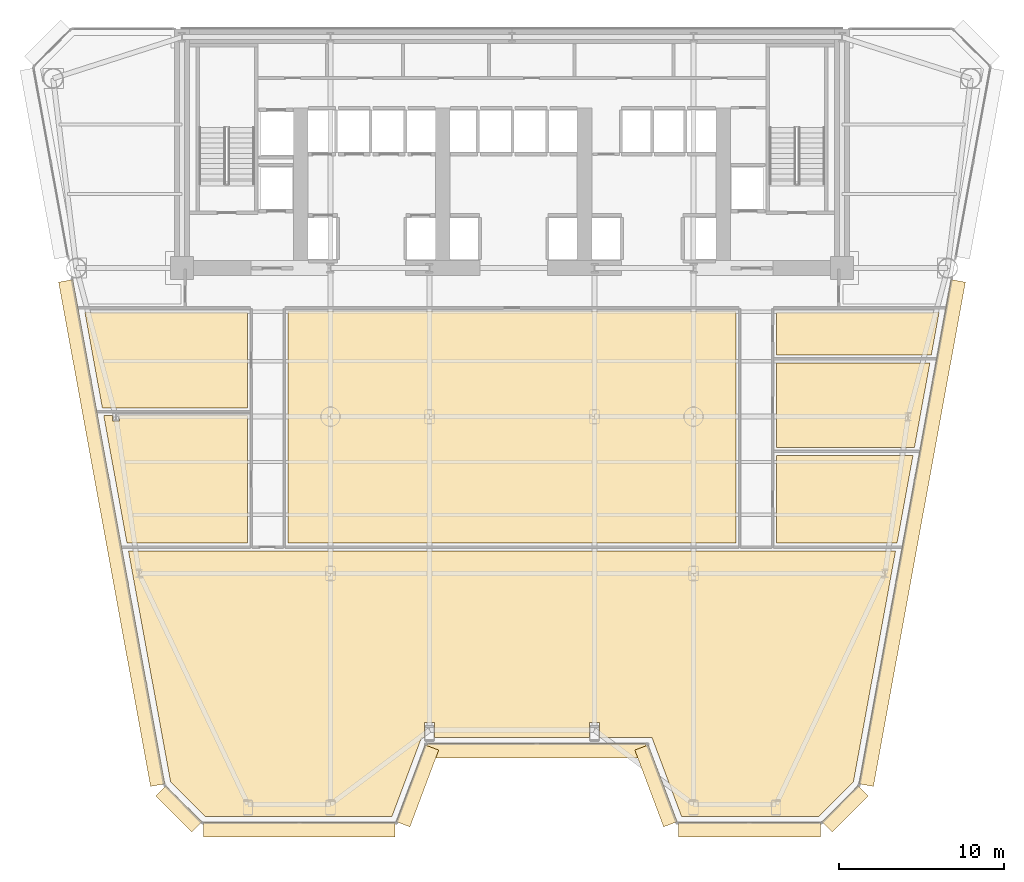
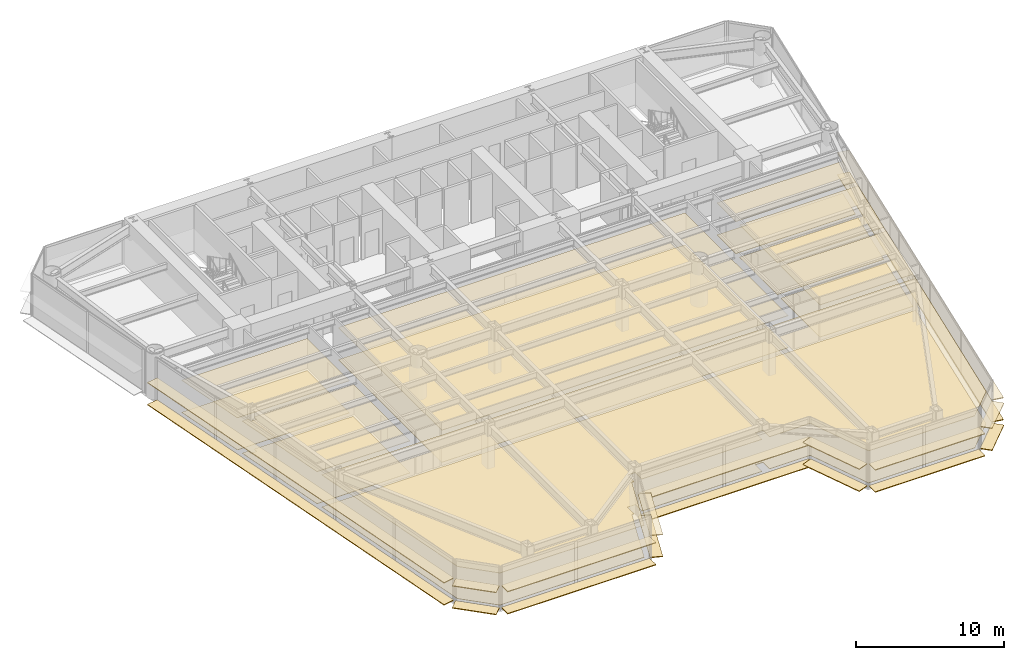
# One storey, part 11 of 14: 32 coverings.
"""IFC4 building model written with IfcOpenShell, lengths in metres."""

from ifc_helpers import new_model, si_unit, direction, frame, origin, origin_2d, place, context, subcontext, project, spatial, polyline, rectangle, outline, extrude, source, transform, mapped, material, layer, layer_set, type_object, element, save


model = new_model("IFC4")

# Units and contexts
model_context = context("Model", 3, precision=1e-05, world=origin(), true_north=direction((0.0, 1.0)))
body_context = subcontext(model_context, "Body", "Model", "MODEL_VIEW")
ifc_project = project(units=[si_unit("LENGTHUNIT", "METRE"), si_unit("AREAUNIT", "SQUARE_METRE"), si_unit("VOLUMEUNIT", "CUBIC_METRE"), si_unit("PLANEANGLEUNIT", "RADIAN"), si_unit("MASSUNIT", "GRAM", prefix="KILO")], contexts=[model_context])

# Site, building, storey
site_placement = place(None, origin())
site = spatial("IfcSite", under=ifc_project, at=site_placement, CompositionType="ELEMENT")
building_placement = place(site_placement, origin())
building = spatial("IfcBuilding", under=site, at=building_placement, Name="Vaeldorn Concourse Tower", CompositionType="ELEMENT")
storey_placement = place(building_placement, frame((0.0, 0.0, 64.39990234375)))
storey = spatial("IfcBuildingStorey", under=building, at=storey_placement, Name="L16", CompositionType="ELEMENT", Elevation=64.39990234375)

# Coverings
ifc_material_1 = material(Name="Acoustic Mineral Fibre Board", Category="gypsum")
ifc_layer_1 = layer(ifc_material_1, 0.0400390625)
ifc_layer_set_1 = layer_set([ifc_layer_1], Name="Acoustic Mineral Fibre Board")
covering_type_1 = type_object("IfcCoveringType", Name="COV-CEIL-ACOUSTIC", PredefinedType="CEILING", material=ifc_layer_set_1)
covering_1_placement = place(storey_placement, frame((0.0, 0.0, 2.650146484375)))
element("IfcCovering", 1, at=covering_1_placement, inside=storey, type_object=covering_type_1, Name="Suspended Acoustic Ceiling L16-6", PredefinedType="CEILING", context=body_context, shape_type="SweptSolid", body=[
    extrude(outline(polyline([(9.779052734375, 27.56005859375), (9.779052734375, 27.234619140625), (10.220947265625, 27.234619140625), (10.220947265625, 27.56005859375), (17.9599609375, 27.56005859375), (17.9599609375, 19.840087890625), (10.671630859375, 19.840087890625), (9.26318359375, 27.56005859375), (9.779052734375, 27.56005859375)])), origin(), (0.0, 0.0, 1.0), 0.0400390625),
])
covering_2_placement = place(storey_placement, frame((0.0, 0.0, 2.650146484375)))
element("IfcCovering", 2, at=covering_2_placement, inside=storey, type_object=covering_type_1, Name="Suspended Acoustic Ceiling L16-7", PredefinedType="CEILING", context=body_context, shape_type="SweptSolid", body=[
    extrude(outline(polyline([(17.9599609375, 33.800048828125), (17.9599609375, 28.0400390625), (9.17578125, 28.0400390625), (8.125, 33.800048828125), (17.9599609375, 33.800048828125)])), origin(), (0.0, 0.0, 1.0), 0.0400390625),
])
covering_3_placement = place(storey_placement, frame((0.0, 0.0, 2.650146484375)))
element("IfcCovering", 3, at=covering_3_placement, inside=storey, type_object=covering_type_1, Name="Suspended Acoustic Ceiling L16-8", PredefinedType="CEILING", context=body_context, shape_type="SweptSolid", body=[
    extrude(outline(polyline([(50.0400390625, 19.840087890625), (50.0400390625, 25.159912109375), (58.298828125, 25.159912109375), (57.328369140625, 19.840087890625), (50.0400390625, 19.840087890625)])), origin(), (0.0, 0.0, 1.0), 0.0400390625),
])
covering_4_placement = place(storey_placement, frame((0.0, 0.0, 2.650146484375)))
element("IfcCovering", 4, at=covering_4_placement, inside=storey, type_object=covering_type_1, Name="Suspended Acoustic Ceiling L16-9", PredefinedType="CEILING", context=body_context, shape_type="SweptSolid", body=[
    extrude(outline(polyline([(50.0400390625, 25.639892578125), (50.0400390625, 30.760009765625), (59.320556640625, 30.760009765625), (58.386474609375, 25.639892578125), (50.0400390625, 25.639892578125)])), origin(), (0.0, 0.0, 1.0), 0.0400390625),
])
covering_5_placement = place(storey_placement, frame((0.0, 0.0, 2.650146484375)))
element("IfcCovering", 5, at=covering_5_placement, inside=storey, type_object=covering_type_1, Name="Suspended Acoustic Ceiling L16-10", PredefinedType="CEILING", context=body_context, shape_type="SweptSolid", body=[
    extrude(outline(polyline([(50.0400390625, 31.239990234375), (50.0400390625, 33.800048828125), (59.875, 33.800048828125), (59.408203125, 31.239990234375), (50.0400390625, 31.239990234375)])), origin(), (0.0, 0.0, 1.0), 0.0400390625),
])
covering_6_placement = place(storey_placement, frame((0.0, 0.0, 2.650146484375)))
element("IfcCovering", 6, at=covering_6_placement, inside=storey, type_object=covering_type_1, Name="Suspended Acoustic Ceiling L16-11", PredefinedType="CEILING", context=body_context, shape_type="SweptSolid", body=[
    extrude(outline(polyline([(20.43994140625, 33.860107421875), (47.56005859375, 33.860107421875), (47.56005859375, 19.840087890625), (20.43994140625, 19.840087890625), (20.43994140625, 33.860107421875)])), origin(), (0.0, 0.0, 1.0), 0.0400390625),
])
covering_7_placement = place(storey_placement, frame((0.0, 0.0, 2.650146484375)))
element("IfcCovering", 7, at=covering_7_placement, inside=storey, type_object=covering_type_1, Name="Suspended Acoustic Ceiling L16-12", PredefinedType="CEILING", context=body_context, shape_type="SweptSolid", body=[
    extrude(outline(polyline([(57.24072265625, 19.360107421875), (54.687255859375, 5.363525390625), (52.5927734375, 3.268798828125), (44.277099609375, 3.268798828125), (42.477294921875, 8.06884765625), (39.300048828125, 8.06884765625), (39.300048828125, 8.9580078125), (38.699951171875, 8.9580078125), (38.699951171875, 8.06884765625), (29.300048828125, 8.06884765625), (29.300048828125, 8.9580078125), (28.699951171875, 8.9580078125), (28.699951171875, 8.06884765625), (28.522705078125, 8.06884765625), (26.722900390625, 3.268798828125), (15.4072265625, 3.268798828125), (13.312744140625, 5.363525390625), (10.75927734375, 19.360107421875), (57.24072265625, 19.360107421875)])), origin(), (0.0, 0.0, 1.0), 0.0400390625),
])
ifc_material_2 = material(Name="Honed Limestone Terrazzo Flooring", Category="masonry")
ifc_layer_2 = layer(ifc_material_2, 0.0400390625)
ifc_layer_set_2 = layer_set([ifc_layer_2], Name="Honed Limestone Terrazzo Flooring")
covering_type_2 = type_object("IfcCoveringType", Name="COV-FLOOR-STONE", PredefinedType="FLOORING", material=ifc_layer_set_2)
covering_8_placement = place(storey_placement, origin())
element("IfcCovering", 8, at=covering_8_placement, inside=storey, type_object=covering_type_2, Name="Floor Finish Covering L16-6", PredefinedType="FLOORING", context=body_context, shape_type="SweptSolid", body=[
    extrude(outline(polyline([(9.779052734375, 27.56005859375), (9.779052734375, 27.234619140625), (10.220947265625, 27.234619140625), (10.220947265625, 27.56005859375), (17.9599609375, 27.56005859375), (17.9599609375, 19.840087890625), (10.671630859375, 19.840087890625), (9.26318359375, 27.56005859375), (9.779052734375, 27.56005859375)])), origin(), (0.0, 0.0, 1.0), 0.030029296875),
])
covering_9_placement = place(storey_placement, origin())
element("IfcCovering", 9, at=covering_9_placement, inside=storey, type_object=covering_type_2, Name="Floor Finish Covering L16-7", PredefinedType="FLOORING", context=body_context, shape_type="SweptSolid", body=[
    extrude(outline(polyline([(17.9599609375, 33.800048828125), (17.9599609375, 28.0400390625), (9.17578125, 28.0400390625), (8.125, 33.800048828125), (17.9599609375, 33.800048828125)])), origin(), (0.0, 0.0, 1.0), 0.030029296875),
])
covering_10_placement = place(storey_placement, origin())
element("IfcCovering", 10, at=covering_10_placement, inside=storey, type_object=covering_type_2, Name="Floor Finish Covering L16-8", PredefinedType="FLOORING", context=body_context, shape_type="SweptSolid", body=[
    extrude(outline(polyline([(50.0400390625, 19.840087890625), (50.0400390625, 25.159912109375), (58.298828125, 25.159912109375), (57.328369140625, 19.840087890625), (50.0400390625, 19.840087890625)])), origin(), (0.0, 0.0, 1.0), 0.030029296875),
])
covering_11_placement = place(storey_placement, origin())
element("IfcCovering", 11, at=covering_11_placement, inside=storey, type_object=covering_type_2, Name="Floor Finish Covering L16-9", PredefinedType="FLOORING", context=body_context, shape_type="SweptSolid", body=[
    extrude(outline(polyline([(50.0400390625, 25.639892578125), (50.0400390625, 30.760009765625), (59.320556640625, 30.760009765625), (58.386474609375, 25.639892578125), (50.0400390625, 25.639892578125)])), origin(), (0.0, 0.0, 1.0), 0.030029296875),
])
covering_12_placement = place(storey_placement, origin())
element("IfcCovering", 12, at=covering_12_placement, inside=storey, type_object=covering_type_2, Name="Floor Finish Covering L16-10", PredefinedType="FLOORING", context=body_context, shape_type="SweptSolid", body=[
    extrude(outline(polyline([(50.0400390625, 31.239990234375), (50.0400390625, 33.800048828125), (59.875, 33.800048828125), (59.408203125, 31.239990234375), (50.0400390625, 31.239990234375)])), origin(), (0.0, 0.0, 1.0), 0.030029296875),
])
covering_13_placement = place(storey_placement, origin())
element("IfcCovering", 13, at=covering_13_placement, inside=storey, type_object=covering_type_2, Name="Floor Finish Covering L16-11", PredefinedType="FLOORING", context=body_context, shape_type="SweptSolid", body=[
    extrude(outline(polyline([(20.43994140625, 33.860107421875), (47.56005859375, 33.860107421875), (47.56005859375, 19.840087890625), (20.43994140625, 19.840087890625), (20.43994140625, 33.860107421875)])), origin(), (0.0, 0.0, 1.0), 0.030029296875),
])
covering_14_placement = place(storey_placement, origin())
element("IfcCovering", 14, at=covering_14_placement, inside=storey, type_object=covering_type_2, Name="Floor Finish Covering L16-12", PredefinedType="FLOORING", context=body_context, shape_type="SweptSolid", body=[
    extrude(outline(polyline([(57.24072265625, 19.360107421875), (54.687255859375, 5.363525390625), (52.5927734375, 3.268798828125), (44.277099609375, 3.268798828125), (42.477294921875, 8.06884765625), (39.300048828125, 8.06884765625), (39.300048828125, 8.9580078125), (38.699951171875, 8.9580078125), (38.699951171875, 8.06884765625), (29.300048828125, 8.06884765625), (29.300048828125, 8.9580078125), (28.699951171875, 8.9580078125), (28.699951171875, 8.06884765625), (28.522705078125, 8.06884765625), (26.722900390625, 3.268798828125), (15.4072265625, 3.268798828125), (13.312744140625, 5.363525390625), (10.75927734375, 19.360107421875), (57.24072265625, 19.360107421875)])), origin(), (0.0, 0.0, 1.0), 0.030029296875),
])
ifc_material_3 = material(Name="Anodised Bronze Aluminium", Category="aluminium")
ifc_layer_3 = layer(ifc_material_3, 0.06494140625)
ifc_layer_set_3 = layer_set([ifc_layer_3], Name="Anodised Bronze Aluminium")
covering_type_3 = type_object("IfcCoveringType", Name="SD-BRONZE-SUNSHADE", PredefinedType="USERDEFINED", material=ifc_layer_set_3)
shared_shape_1 = source(origin(), body_context, "Body", "SweptSolid", [
    extrude(rectangle(XDim=4.96630859375, YDim=0.8798828125, at=origin_2d()), origin(), (0.0, 0.0, 1.0), 0.06494140625),
])
for number, where, z_axis, x_axis, name in (
    (15, (28.2744140625, 5.12841796875, 0.047607421875), (0.0, 0.0, 1.0), (0.351122702609, 0.936329454686, 0.0), "Horizontal Bronze Sunshade L16-E02.1.1"),
    (16, (28.2744140625, 5.12841796875, 1.86767578125), (0.0, 0.0, 1.0), (0.351122702609, 0.936329454686, 0.0), "Horizontal Bronze Sunshade L16-E02.1.2"),
    (17, (42.7255859375, 5.12841796875, 0.047607421875), (0.0, 0.0, 1.0), (0.351122702609, -0.936329454686, 0.0), "Horizontal Bronze Sunshade L16-E04.1.1"),
    (18, (42.7255859375, 5.12841796875, 1.86767578125), (0.0, 0.0, 1.0), (0.351122702609, -0.936329454686, 0.0), "Horizontal Bronze Sunshade L16-E04.1.2"),
):
    element("IfcCovering", number, at=place(storey_placement, frame(where, z_axis=z_axis, x_axis=x_axis)), inside=storey, type_object=covering_type_3, Name=name, ObjectType="SUNSHADE", PredefinedType="USERDEFINED", context=body_context, shape_type="MappedRepresentation", body=[
        mapped(shared_shape_1, transform((0.0, 0.0, 0.0), scale=1.0)),
    ])
shared_shape_2 = source(origin(), body_context, "Body", "SweptSolid", [
    extrude(rectangle(XDim=13.239990234375, YDim=0.8798828125, at=origin_2d()), origin(), (0.0, 0.0, 1.0), 0.06494140625),
])
for number, where, z_axis, x_axis, name in (
    (19, (35.5, 7.268798828125, 0.047607421875), (0.0, 0.0, 1.0), (1.0, 0.0, 0.0), "Horizontal Bronze Sunshade L16-E03.1.1"),
    (20, (35.5, 7.268798828125, 1.86767578125), (0.0, 0.0, 1.0), (1.0, 0.0, 0.0), "Horizontal Bronze Sunshade L16-E03.1.2"),
):
    element("IfcCovering", number, at=place(storey_placement, frame(where, z_axis=z_axis, x_axis=x_axis)), inside=storey, type_object=covering_type_3, Name=name, ObjectType="SUNSHADE", PredefinedType="USERDEFINED", context=body_context, shape_type="MappedRepresentation", body=[
        mapped(shared_shape_2, transform((0.0, 0.0, 0.0), scale=1.0)),
    ])
shared_shape_3 = source(origin(), body_context, "Body", "SweptSolid", [
    extrude(rectangle(XDim=3.0927734375, YDim=0.8798828125, at=origin_2d()), origin(), (0.0, 0.0, 1.0), 0.06494140625),
])
for number, where, z_axis, x_axis, name in (
    (21, (54.191162109375, 3.736083984375, 0.047607421875), (0.0, 0.0, 1.0), (0.707106781187, 0.707106781187, 0.0), "Horizontal Bronze Sunshade L16-E06.1.1"),
    (22, (54.191162109375, 3.736083984375, 1.86767578125), (0.0, 0.0, 1.0), (0.707106781187, 0.707106781187, 0.0), "Horizontal Bronze Sunshade L16-E06.1.2"),
    (23, (13.808837890625, 3.736083984375, 0.047607421875), (0.0, 0.0, 1.0), (0.707106781187, -0.707106781187, 0.0), "Horizontal Bronze Sunshade L16-E12.1.1"),
    (24, (13.808837890625, 3.736083984375, 1.86767578125), (0.0, 0.0, 1.0), (0.707106781187, -0.707106781187, 0.0), "Horizontal Bronze Sunshade L16-E12.1.2"),
):
    element("IfcCovering", number, at=place(storey_placement, frame(where, z_axis=z_axis, x_axis=x_axis)), inside=storey, type_object=covering_type_3, Name=name, ObjectType="SUNSHADE", PredefinedType="USERDEFINED", context=body_context, shape_type="MappedRepresentation", body=[
        mapped(shared_shape_3, transform((0.0, 0.0, 0.0), scale=1.0)),
    ])
shared_shape_4 = source(origin(), body_context, "Body", "SweptSolid", [
    extrude(rectangle(XDim=11.598388671875, YDim=0.8798828125, at=origin_2d()), origin(), (0.0, 0.0, 1.0), 0.06494140625),
])
for number, where, z_axis, x_axis, name in (
    (25, (21.120849609375, 2.468994140625, 0.047607421875), (0.0, 0.0, 1.0), (1.0, 0.0, 0.0), "Horizontal Bronze Sunshade L16-E01.1.1"),
    (26, (21.120849609375, 2.468994140625, 1.86767578125), (0.0, 0.0, 1.0), (1.0, 0.0, 0.0), "Horizontal Bronze Sunshade L16-E01.1.2"),
):
    element("IfcCovering", number, at=place(storey_placement, frame(where, z_axis=z_axis, x_axis=x_axis)), inside=storey, type_object=covering_type_3, Name=name, ObjectType="SUNSHADE", PredefinedType="USERDEFINED", context=body_context, shape_type="MappedRepresentation", body=[
        mapped(shared_shape_4, transform((0.0, 0.0, 0.0), scale=1.0)),
    ])
shared_shape_5 = source(origin(), body_context, "Body", "SweptSolid", [
    extrude(rectangle(XDim=8.598388671875, YDim=0.8798828125, at=origin_2d()), origin(), (0.0, 0.0, 1.0), 0.06494140625),
])
for number, where, z_axis, x_axis, name in (
    (27, (48.379150390625, 2.468994140625, 0.047607421875), (0.0, 0.0, 1.0), (1.0, 0.0, 0.0), "Horizontal Bronze Sunshade L16-E05.1.1"),
    (28, (48.379150390625, 2.468994140625, 1.86767578125), (0.0, 0.0, 1.0), (1.0, 0.0, 0.0), "Horizontal Bronze Sunshade L16-E05.1.2"),
):
    element("IfcCovering", number, at=place(storey_placement, frame(where, z_axis=z_axis, x_axis=x_axis)), inside=storey, type_object=covering_type_3, Name=name, ObjectType="SUNSHADE", PredefinedType="USERDEFINED", context=body_context, shape_type="MappedRepresentation", body=[
        mapped(shared_shape_5, transform((0.0, 0.0, 0.0), scale=1.0)),
    ])
shared_shape_6 = source(origin(), body_context, "Body", "SweptSolid", [
    extrude(rectangle(XDim=31.05859375, YDim=0.8798828125, at=origin_2d()), origin(), (0.0, 0.0, 1.0), 0.06494140625),
])
for number, where, z_axis, x_axis, name in (
    (29, (58.25341796875, 20.452880859375, 0.047607421875), (0.0, 0.0, 1.0), (0.179471882945, 0.983763103207, 0.0), "Horizontal Bronze Sunshade L16-E07.1.1"),
    (30, (58.25341796875, 20.452880859375, 1.86767578125), (0.0, 0.0, 1.0), (0.179471882945, 0.983763103207, 0.0), "Horizontal Bronze Sunshade L16-E07.1.2"),
    (31, (9.74658203125, 20.452880859375, 0.047607421875), (0.0, 0.0, 1.0), (0.179471882945, -0.983763103207, 0.0), "Horizontal Bronze Sunshade L16-E11.2.1"),
    (32, (9.74658203125, 20.452880859375, 1.86767578125), (0.0, 0.0, 1.0), (0.179471882945, -0.983763103207, 0.0), "Horizontal Bronze Sunshade L16-E11.2.2"),
):
    element("IfcCovering", number, at=place(storey_placement, frame(where, z_axis=z_axis, x_axis=x_axis)), inside=storey, type_object=covering_type_3, Name=name, ObjectType="SUNSHADE", PredefinedType="USERDEFINED", context=body_context, shape_type="MappedRepresentation", body=[
        mapped(shared_shape_6, transform((0.0, 0.0, 0.0), scale=1.0)),
    ])

save(model, "model.ifc")
